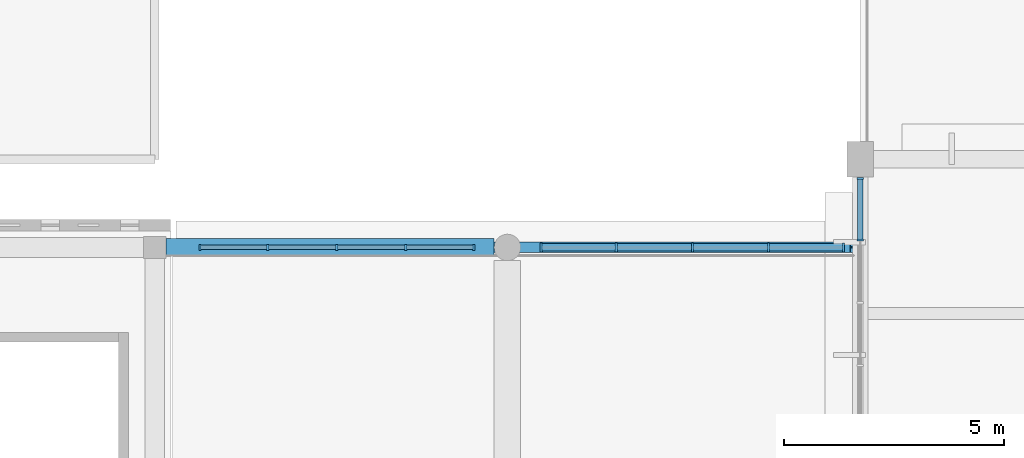
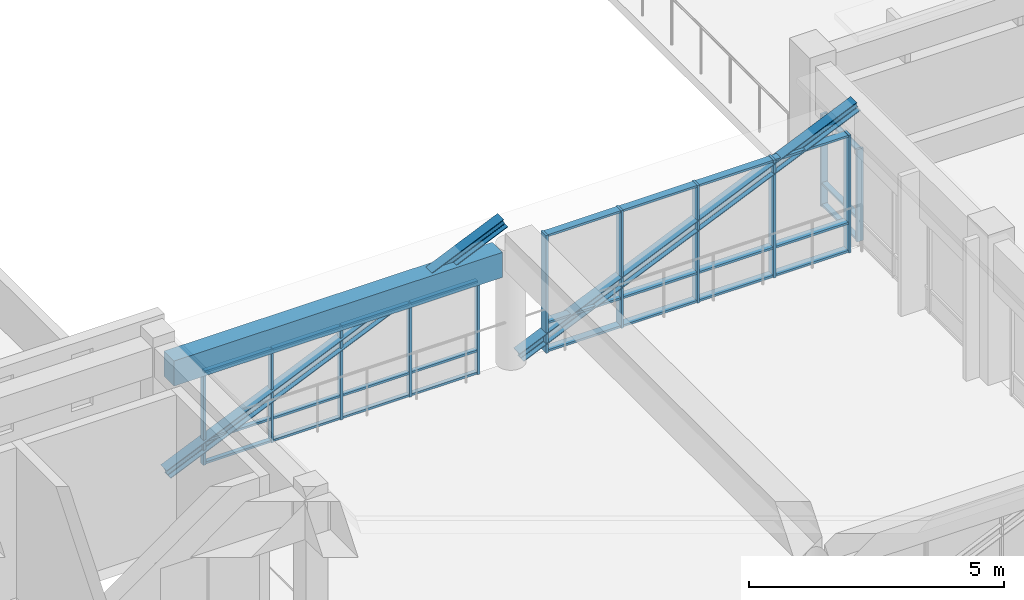
# One storey, part 28 of 77: 41 members, 1 beam, 3 elements without a shape of their own.
"""IFC4 building model written with IfcOpenShell, lengths in metres."""

from ifc_helpers import new_model, si_unit, direction, frame, origin, origin_2d, place, context, subcontext, project, spatial, rectangle, i_section, extrude, material, material_profile, profile_set, type_object, element, aggregate, save


model = new_model("IFC4")

# Units and contexts
model_context = context("Model", 3, precision=1e-05, world=origin(), true_north=direction((0.0, 1.0)))
body_context = subcontext(model_context, "Body", "Model", "MODEL_VIEW")
ifc_project = project(units=[si_unit("LENGTHUNIT", "METRE"), si_unit("AREAUNIT", "SQUARE_METRE"), si_unit("VOLUMEUNIT", "CUBIC_METRE"), si_unit("PLANEANGLEUNIT", "RADIAN"), si_unit("MASSUNIT", "GRAM", prefix="KILO")], contexts=[model_context])

# Site, building, storey
site_placement = place(None, origin())
site = spatial("IfcSite", under=ifc_project, at=site_placement, CompositionType="ELEMENT")
building_placement = place(site_placement, origin())
building = spatial("IfcBuilding", under=site, at=building_placement, Name="Larkveld Mobility Hub", CompositionType="ELEMENT")
storey_placement = place(building_placement, frame((0.0, 0.0, 12.0)))
storey = spatial("IfcBuildingStorey", under=building, at=storey_placement, Name="L03", CompositionType="ELEMENT", Elevation=12.0)

# Beam
ifc_material_1 = material(Name="Concrete C40/50", Category="concrete")
ifc_material_profile_1 = material_profile(ifc_material_1, rectangle(XDim=0.39990234375, YDim=0.60009765625, at=origin_2d()), Name="RC BM 400x600")
ifc_profile_set_1 = profile_set([ifc_material_profile_1], Name="Concrete C40/50")
beam_type = type_object("IfcBeamType", Name="BM-RC4060", PredefinedType="BEAM", material=ifc_profile_set_1)
beam_placement = place(storey_placement, frame((96.25, 96.0, 2.544921875), z_axis=(1.0, 0.0, 0.0), x_axis=(0.0, 1.0, 0.0)))
element("IfcBeam", 1, at=beam_placement, inside=storey, type_object=beam_type, Name="Footbridge L03 Canopy E-W Girder L03-0743", PredefinedType="BEAM", context=body_context, shape_type="SweptSolid", body=[
    extrude(rectangle(XDim=0.39990234375, YDim=0.60009765625, at=origin_2d()), origin(), (0.0, 0.0, 1.0), 7.449951171875),
])

# Curtain wall, members
ifc_material_2 = material(Name="Anodised aluminium 6063-T6", Category="aluminium")
curtain_wall_type_1 = type_object("IfcCurtainWallType", Name="CW-SYS-01", PredefinedType="NOTDEFINED", material=ifc_material_2)
curtain_wall_1_placement = place(storey_placement, origin())
curtain_wall_1 = element("IfcCurtainWall", 2, at=curtain_wall_1_placement, inside=storey, type_object=curtain_wall_type_1, Name="EV Wing West Glazing L03 CW-145", PredefinedType="NOTDEFINED")
ifc_material_profile_2 = material_profile(ifc_material_2, rectangle(XDim=0.050048828125, YDim=0.14990234375, at=origin_2d()), Name="ALU MULL 50x150")
ifc_profile_set_2 = profile_set([ifc_material_profile_2], Name="Anodised aluminium 6063-T6")
member_type_1 = type_object("IfcMemberType", Name="CW-MUL-01", PredefinedType="MULLION", material=ifc_profile_set_2)
member_1_placement = place(storey_placement, frame((112.0, 97.56494140625, -0.001953125), z_axis=(0.0, 0.0, 1.0), x_axis=(0.0, -1.0, 0.0)))
member_1 = element("IfcMember", 3, at=member_1_placement, type_object=member_type_1, Name="CW01 mullion 1", PredefinedType="MULLION", context=body_context, shape_type="SweptSolid", body=[
    extrude(rectangle(XDim=0.050048828125, YDim=0.14990234375, at=origin_2d()), origin(), (0.0, 0.0, 1.0), 2.2119140625),
])
member_2_placement = place(storey_placement, frame((112.0, 96.16796875, -0.001953125), z_axis=(0.0, 0.0, 1.0), x_axis=(0.0, -1.0, 0.0)))
member_2 = element("IfcMember", 4, at=member_2_placement, type_object=member_type_1, Name="CW01 mullion 2", PredefinedType="MULLION", context=body_context, shape_type="SweptSolid", body=[
    extrude(rectangle(XDim=0.050048828125, YDim=0.14990234375, at=origin_2d()), origin(), (0.0, 0.0, 1.0), 2.2119140625),
])

curtain_wall_type_2 = type_object("IfcCurtainWallType", Name="CW-SYS-07", PredefinedType="NOTDEFINED", material=ifc_material_2)
curtain_wall_2_placement = place(storey_placement, origin())
curtain_wall_2 = element("IfcCurtainWall", 5, at=curtain_wall_2_placement, inside=storey, type_object=curtain_wall_type_2, Name="Concourse Footbridge L03 North Glazing CW-007", PredefinedType="NOTDEFINED")
ifc_material_profile_3 = material_profile(ifc_material_2, rectangle(XDim=0.050048828125, YDim=0.2099609375, at=origin_2d()), Name="ALU MULL 50x210")
ifc_profile_set_3 = profile_set([ifc_material_profile_3], Name="Anodised aluminium 6063-T6")
member_type_2 = type_object("IfcMemberType", Name="CW-MUL-03", PredefinedType="MULLION", material=ifc_profile_set_3)
member_3_placement = place(storey_placement, frame((111.625, 96.0, -0.001953125), z_axis=(0.0, 0.0, 1.0), x_axis=(-1.0, 0.0, 0.0)))
member_3 = element("IfcMember", 6, at=member_3_placement, type_object=member_type_2, Name="CW07 mullion 1", PredefinedType="MULLION", context=body_context, shape_type="SweptSolid", body=[
    extrude(rectangle(XDim=0.050048828125, YDim=0.2099609375, at=origin_2d()), origin(), (0.0, 0.0, 1.0), 2.822021484375),
])
member_4_placement = place(storey_placement, frame((109.922119140625, 96.0, -0.001953125), z_axis=(0.0, 0.0, 1.0), x_axis=(-1.0, 0.0, 0.0)))
member_4 = element("IfcMember", 7, at=member_4_placement, type_object=member_type_2, Name="CW07 mullion 2", PredefinedType="MULLION", context=body_context, shape_type="SweptSolid", body=[
    extrude(rectangle(XDim=0.050048828125, YDim=0.2099609375, at=origin_2d()), origin(), (0.0, 0.0, 1.0), 2.822021484375),
])
member_5_placement = place(storey_placement, frame((108.195068359375, 96.0, -0.001953125), z_axis=(0.0, 0.0, 1.0), x_axis=(-1.0, 0.0, 0.0)))
member_5 = element("IfcMember", 8, at=member_5_placement, type_object=member_type_2, Name="CW07 mullion 3", PredefinedType="MULLION", context=body_context, shape_type="SweptSolid", body=[
    extrude(rectangle(XDim=0.050048828125, YDim=0.2099609375, at=origin_2d()), origin(), (0.0, 0.0, 1.0), 2.822021484375),
])
member_6_placement = place(storey_placement, frame((106.468017578125, 96.0, -0.001953125), z_axis=(0.0, 0.0, 1.0), x_axis=(-1.0, 0.0, 0.0)))
member_6 = element("IfcMember", 9, at=member_6_placement, type_object=member_type_2, Name="CW07 mullion 4", PredefinedType="MULLION", context=body_context, shape_type="SweptSolid", body=[
    extrude(rectangle(XDim=0.050048828125, YDim=0.2099609375, at=origin_2d()), origin(), (0.0, 0.0, 1.0), 2.822021484375),
])
member_7_placement = place(storey_placement, frame((104.764892578125, 96.0, -0.001953125), z_axis=(0.0, 0.0, 1.0), x_axis=(-1.0, 0.0, 0.0)))
member_7 = element("IfcMember", 10, at=member_7_placement, type_object=member_type_2, Name="CW07 mullion 5", PredefinedType="MULLION", context=body_context, shape_type="SweptSolid", body=[
    extrude(rectangle(XDim=0.050048828125, YDim=0.2099609375, at=origin_2d()), origin(), (0.0, 0.0, 1.0), 2.822021484375),
])

curtain_wall_type_3 = type_object("IfcCurtainWallType", Name="CW-SYS-08", PredefinedType="NOTDEFINED", material=ifc_material_2)
curtain_wall_3_placement = place(storey_placement, origin())
curtain_wall_3 = element("IfcCurtainWall", 11, at=curtain_wall_3_placement, inside=storey, type_object=curtain_wall_type_3, Name="Concourse Footbridge L03 North Glazing CW-008", PredefinedType="NOTDEFINED")
ifc_material_profile_4 = material_profile(ifc_material_2, rectangle(XDim=0.050048828125, YDim=0.1298828125, at=origin_2d()), Name="ALU MULL 50x130")
ifc_profile_set_4 = profile_set([ifc_material_profile_4], Name="Anodised aluminium 6063-T6")
member_type_3 = type_object("IfcMemberType", Name="CW-MUL-04", PredefinedType="MULLION", material=ifc_profile_set_4)
member_8_placement = place(storey_placement, frame((103.235107421875, 96.0, -0.001953125), z_axis=(0.0, 0.0, 1.0), x_axis=(-1.0, 0.0, 0.0)))
member_8 = element("IfcMember", 12, at=member_8_placement, type_object=member_type_3, Name="CW08 mullion 1", PredefinedType="MULLION", context=body_context, shape_type="SweptSolid", body=[
    extrude(rectangle(XDim=0.050048828125, YDim=0.1298828125, at=origin_2d()), origin(), (0.0, 0.0, 1.0), 2.2470703125),
])
member_9_placement = place(storey_placement, frame((101.695068359375, 96.0, -0.001953125), z_axis=(0.0, 0.0, 1.0), x_axis=(-1.0, 0.0, 0.0)))
member_9 = element("IfcMember", 13, at=member_9_placement, type_object=member_type_3, Name="CW08 mullion 2", PredefinedType="MULLION", context=body_context, shape_type="SweptSolid", body=[
    extrude(rectangle(XDim=0.050048828125, YDim=0.1298828125, at=origin_2d()), origin(), (0.0, 0.0, 1.0), 2.2470703125),
])
member_10_placement = place(storey_placement, frame((100.1298828125, 96.0, -0.001953125), z_axis=(0.0, 0.0, 1.0), x_axis=(-1.0, 0.0, 0.0)))
member_10 = element("IfcMember", 14, at=member_10_placement, type_object=member_type_3, Name="CW08 mullion 3", PredefinedType="MULLION", context=body_context, shape_type="SweptSolid", body=[
    extrude(rectangle(XDim=0.050048828125, YDim=0.1298828125, at=origin_2d()), origin(), (0.0, 0.0, 1.0), 2.2470703125),
])
member_11_placement = place(storey_placement, frame((98.56494140625, 96.0, -0.001953125), z_axis=(0.0, 0.0, 1.0), x_axis=(-1.0, 0.0, 0.0)))
member_11 = element("IfcMember", 15, at=member_11_placement, type_object=member_type_3, Name="CW08 mullion 4", PredefinedType="MULLION", context=body_context, shape_type="SweptSolid", body=[
    extrude(rectangle(XDim=0.050048828125, YDim=0.1298828125, at=origin_2d()), origin(), (0.0, 0.0, 1.0), 2.2470703125),
])
member_12_placement = place(storey_placement, frame((97.02490234375, 96.0, -0.001953125), z_axis=(0.0, 0.0, 1.0), x_axis=(-1.0, 0.0, 0.0)))
member_12 = element("IfcMember", 16, at=member_12_placement, type_object=member_type_3, Name="CW08 mullion 5", PredefinedType="MULLION", context=body_context, shape_type="SweptSolid", body=[
    extrude(rectangle(XDim=0.050048828125, YDim=0.1298828125, at=origin_2d()), origin(), (0.0, 0.0, 1.0), 2.2470703125),
])

# Member
ifc_material_profile_5 = material_profile(ifc_material_2, rectangle(XDim=0.1201171875, YDim=0.050048828125, at=origin_2d()), Name="ALU TRAN 50x120")
ifc_profile_set_5 = profile_set([ifc_material_profile_5], Name="Anodised aluminium 6063-T6")
member_type_4 = type_object("IfcMemberType", Name="CW-TRN-01", PredefinedType="USERDEFINED", material=ifc_profile_set_5)
member_13_placement = place(storey_placement, frame((112.0, 97.554931640625, 0.030029296875), z_axis=(0.0, -1.0, 0.0), x_axis=(1.0, 0.0, 0.0)))
member_13 = element("IfcMember", 17, at=member_13_placement, type_object=member_type_4, Name="CW01 transom 1.1", ObjectType="TRANSOM", PredefinedType="USERDEFINED", context=body_context, shape_type="SweptSolid", body=[
    extrude(rectangle(XDim=0.1201171875, YDim=0.050048828125, at=origin_2d()), origin(), (0.0, 0.0, 1.0), 1.371826171875),
])

member_14_placement = place(storey_placement, frame((112.0, 97.554931640625, 0.552001953125), z_axis=(0.0, -1.0, 0.0), x_axis=(1.0, 0.0, 0.0)))
member_14 = element("IfcMember", 18, at=member_14_placement, type_object=member_type_4, Name="CW01 transom 1.2", ObjectType="TRANSOM", PredefinedType="USERDEFINED", context=body_context, shape_type="SweptSolid", body=[
    extrude(rectangle(XDim=0.1201171875, YDim=0.050048828125, at=origin_2d()), origin(), (0.0, 0.0, 1.0), 1.371826171875),
])

member_15_placement = place(storey_placement, frame((112.0, 97.554931640625, 2.177978515625), z_axis=(0.0, -1.0, 0.0), x_axis=(1.0, 0.0, 0.0)))
member_15 = element("IfcMember", 19, at=member_15_placement, type_object=member_type_4, Name="CW01 transom 1.3", ObjectType="TRANSOM", PredefinedType="USERDEFINED", context=body_context, shape_type="SweptSolid", body=[
    extrude(rectangle(XDim=0.1201171875, YDim=0.050048828125, at=origin_2d()), origin(), (0.0, 0.0, 1.0), 1.371826171875),
])

aggregate(curtain_wall_1, [member_1, member_2, member_13, member_14, member_15])

ifc_material_profile_6 = material_profile(ifc_material_2, rectangle(XDim=0.169921875, YDim=0.050048828125, at=origin_2d()), Name="ALU TRAN 50x170")
ifc_profile_set_6 = profile_set([ifc_material_profile_6], Name="Anodised aluminium 6063-T6")
member_type_5 = type_object("IfcMemberType", Name="CW-TRN-03", PredefinedType="USERDEFINED", material=ifc_profile_set_6)
member_16_placement = place(storey_placement, frame((111.614990234375, 96.0, 0.030029296875), z_axis=(-1.0, 0.0, 0.0), x_axis=(0.0, -1.0, 0.0)))
member_16 = element("IfcMember", 20, at=member_16_placement, type_object=member_type_5, Name="CW07 transom 1.1", ObjectType="TRANSOM", PredefinedType="USERDEFINED", context=body_context, shape_type="SweptSolid", body=[
    extrude(rectangle(XDim=0.169921875, YDim=0.050048828125, at=origin_2d()), origin(), (0.0, 0.0, 1.0), 1.677001953125),
])

member_17_placement = place(storey_placement, frame((111.614990234375, 96.0, 0.7041015625), z_axis=(-1.0, 0.0, 0.0), x_axis=(0.0, -1.0, 0.0)))
member_17 = element("IfcMember", 21, at=member_17_placement, type_object=member_type_5, Name="CW07 transom 1.2", ObjectType="TRANSOM", PredefinedType="USERDEFINED", context=body_context, shape_type="SweptSolid", body=[
    extrude(rectangle(XDim=0.169921875, YDim=0.050048828125, at=origin_2d()), origin(), (0.0, 0.0, 1.0), 1.677001953125),
])

member_18_placement = place(storey_placement, frame((111.614990234375, 96.0, 2.7880859375), z_axis=(-1.0, 0.0, 0.0), x_axis=(0.0, -1.0, 0.0)))
member_18 = element("IfcMember", 22, at=member_18_placement, type_object=member_type_5, Name="CW07 transom 1.3", ObjectType="TRANSOM", PredefinedType="USERDEFINED", context=body_context, shape_type="SweptSolid", body=[
    extrude(rectangle(XDim=0.169921875, YDim=0.050048828125, at=origin_2d()), origin(), (0.0, 0.0, 1.0), 1.677001953125),
])

member_19_placement = place(storey_placement, frame((109.906982421875, 96.0, 0.030029296875), z_axis=(-1.0, 0.0, 0.0), x_axis=(0.0, -1.0, 0.0)))
member_19 = element("IfcMember", 23, at=member_19_placement, type_object=member_type_5, Name="CW07 transom 2.1", ObjectType="TRANSOM", PredefinedType="USERDEFINED", context=body_context, shape_type="SweptSolid", body=[
    extrude(rectangle(XDim=0.169921875, YDim=0.050048828125, at=origin_2d()), origin(), (0.0, 0.0, 1.0), 1.697021484375),
])

member_20_placement = place(storey_placement, frame((109.906982421875, 96.0, 0.7041015625), z_axis=(-1.0, 0.0, 0.0), x_axis=(0.0, -1.0, 0.0)))
member_20 = element("IfcMember", 24, at=member_20_placement, type_object=member_type_5, Name="CW07 transom 2.2", ObjectType="TRANSOM", PredefinedType="USERDEFINED", context=body_context, shape_type="SweptSolid", body=[
    extrude(rectangle(XDim=0.169921875, YDim=0.050048828125, at=origin_2d()), origin(), (0.0, 0.0, 1.0), 1.697021484375),
])

member_21_placement = place(storey_placement, frame((109.906982421875, 96.0, 2.7880859375), z_axis=(-1.0, 0.0, 0.0), x_axis=(0.0, -1.0, 0.0)))
member_21 = element("IfcMember", 25, at=member_21_placement, type_object=member_type_5, Name="CW07 transom 2.3", ObjectType="TRANSOM", PredefinedType="USERDEFINED", context=body_context, shape_type="SweptSolid", body=[
    extrude(rectangle(XDim=0.169921875, YDim=0.050048828125, at=origin_2d()), origin(), (0.0, 0.0, 1.0), 1.697021484375),
])

member_22_placement = place(storey_placement, frame((108.179931640625, 96.0, 0.030029296875), z_axis=(-1.0, 0.0, 0.0), x_axis=(0.0, -1.0, 0.0)))
member_22 = element("IfcMember", 26, at=member_22_placement, type_object=member_type_5, Name="CW07 transom 3.1", ObjectType="TRANSOM", PredefinedType="USERDEFINED", context=body_context, shape_type="SweptSolid", body=[
    extrude(rectangle(XDim=0.169921875, YDim=0.050048828125, at=origin_2d()), origin(), (0.0, 0.0, 1.0), 1.697021484375),
])

member_23_placement = place(storey_placement, frame((108.179931640625, 96.0, 0.7041015625), z_axis=(-1.0, 0.0, 0.0), x_axis=(0.0, -1.0, 0.0)))
member_23 = element("IfcMember", 27, at=member_23_placement, type_object=member_type_5, Name="CW07 transom 3.2", ObjectType="TRANSOM", PredefinedType="USERDEFINED", context=body_context, shape_type="SweptSolid", body=[
    extrude(rectangle(XDim=0.169921875, YDim=0.050048828125, at=origin_2d()), origin(), (0.0, 0.0, 1.0), 1.697021484375),
])

member_24_placement = place(storey_placement, frame((108.179931640625, 96.0, 2.7880859375), z_axis=(-1.0, 0.0, 0.0), x_axis=(0.0, -1.0, 0.0)))
member_24 = element("IfcMember", 28, at=member_24_placement, type_object=member_type_5, Name="CW07 transom 3.3", ObjectType="TRANSOM", PredefinedType="USERDEFINED", context=body_context, shape_type="SweptSolid", body=[
    extrude(rectangle(XDim=0.169921875, YDim=0.050048828125, at=origin_2d()), origin(), (0.0, 0.0, 1.0), 1.697021484375),
])

member_25_placement = place(storey_placement, frame((106.452880859375, 96.0, 0.030029296875), z_axis=(-1.0, 0.0, 0.0), x_axis=(0.0, -1.0, 0.0)))
member_25 = element("IfcMember", 29, at=member_25_placement, type_object=member_type_5, Name="CW07 transom 4.1", ObjectType="TRANSOM", PredefinedType="USERDEFINED", context=body_context, shape_type="SweptSolid", body=[
    extrude(rectangle(XDim=0.169921875, YDim=0.050048828125, at=origin_2d()), origin(), (0.0, 0.0, 1.0), 1.677978515625),
])

member_26_placement = place(storey_placement, frame((106.452880859375, 96.0, 0.7041015625), z_axis=(-1.0, 0.0, 0.0), x_axis=(0.0, -1.0, 0.0)))
member_26 = element("IfcMember", 30, at=member_26_placement, type_object=member_type_5, Name="CW07 transom 4.2", ObjectType="TRANSOM", PredefinedType="USERDEFINED", context=body_context, shape_type="SweptSolid", body=[
    extrude(rectangle(XDim=0.169921875, YDim=0.050048828125, at=origin_2d()), origin(), (0.0, 0.0, 1.0), 1.677978515625),
])

member_27_placement = place(storey_placement, frame((106.452880859375, 96.0, 2.7880859375), z_axis=(-1.0, 0.0, 0.0), x_axis=(0.0, -1.0, 0.0)))
member_27 = element("IfcMember", 31, at=member_27_placement, type_object=member_type_5, Name="CW07 transom 4.3", ObjectType="TRANSOM", PredefinedType="USERDEFINED", context=body_context, shape_type="SweptSolid", body=[
    extrude(rectangle(XDim=0.169921875, YDim=0.050048828125, at=origin_2d()), origin(), (0.0, 0.0, 1.0), 1.677978515625),
])

aggregate(curtain_wall_2, [member_3, member_4, member_5, member_6, member_7, member_16, member_17, member_18, member_19, member_20, member_21, member_22, member_23, member_24, member_25, member_26, member_27])

ifc_material_profile_7 = material_profile(ifc_material_2, rectangle(XDim=0.10009765625, YDim=0.050048828125, at=origin_2d()), Name="ALU TRAN 50x100")
ifc_profile_set_7 = profile_set([ifc_material_profile_7], Name="Anodised aluminium 6063-T6")
member_type_6 = type_object("IfcMemberType", Name="CW-TRN-04", PredefinedType="USERDEFINED", material=ifc_profile_set_7)
member_28_placement = place(storey_placement, frame((103.22509765625, 96.0, 0.030029296875), z_axis=(-1.0, 0.0, 0.0), x_axis=(0.0, -1.0, 0.0)))
member_28 = element("IfcMember", 32, at=member_28_placement, type_object=member_type_6, Name="CW08 transom 1.1", ObjectType="TRANSOM", PredefinedType="USERDEFINED", context=body_context, shape_type="SweptSolid", body=[
    extrude(rectangle(XDim=0.10009765625, YDim=0.050048828125, at=origin_2d()), origin(), (0.0, 0.0, 1.0), 1.51513671875),
])

member_29_placement = place(storey_placement, frame((103.22509765625, 96.0, 0.56103515625), z_axis=(-1.0, 0.0, 0.0), x_axis=(0.0, -1.0, 0.0)))
member_29 = element("IfcMember", 33, at=member_29_placement, type_object=member_type_6, Name="CW08 transom 1.2", ObjectType="TRANSOM", PredefinedType="USERDEFINED", context=body_context, shape_type="SweptSolid", body=[
    extrude(rectangle(XDim=0.10009765625, YDim=0.050048828125, at=origin_2d()), origin(), (0.0, 0.0, 1.0), 1.51513671875),
])

member_30_placement = place(storey_placement, frame((103.22509765625, 96.0, 2.212890625), z_axis=(-1.0, 0.0, 0.0), x_axis=(0.0, -1.0, 0.0)))
member_30 = element("IfcMember", 34, at=member_30_placement, type_object=member_type_6, Name="CW08 transom 1.3", ObjectType="TRANSOM", PredefinedType="USERDEFINED", context=body_context, shape_type="SweptSolid", body=[
    extrude(rectangle(XDim=0.10009765625, YDim=0.050048828125, at=origin_2d()), origin(), (0.0, 0.0, 1.0), 1.51513671875),
])

member_31_placement = place(storey_placement, frame((101.679931640625, 96.0, 0.030029296875), z_axis=(-1.0, 0.0, 0.0), x_axis=(0.0, -1.0, 0.0)))
member_31 = element("IfcMember", 35, at=member_31_placement, type_object=member_type_6, Name="CW08 transom 2.1", ObjectType="TRANSOM", PredefinedType="USERDEFINED", context=body_context, shape_type="SweptSolid", body=[
    extrude(rectangle(XDim=0.10009765625, YDim=0.050048828125, at=origin_2d()), origin(), (0.0, 0.0, 1.0), 1.534912109375),
])

member_32_placement = place(storey_placement, frame((101.679931640625, 96.0, 0.56103515625), z_axis=(-1.0, 0.0, 0.0), x_axis=(0.0, -1.0, 0.0)))
member_32 = element("IfcMember", 36, at=member_32_placement, type_object=member_type_6, Name="CW08 transom 2.2", ObjectType="TRANSOM", PredefinedType="USERDEFINED", context=body_context, shape_type="SweptSolid", body=[
    extrude(rectangle(XDim=0.10009765625, YDim=0.050048828125, at=origin_2d()), origin(), (0.0, 0.0, 1.0), 1.534912109375),
])

member_33_placement = place(storey_placement, frame((101.679931640625, 96.0, 2.212890625), z_axis=(-1.0, 0.0, 0.0), x_axis=(0.0, -1.0, 0.0)))
member_33 = element("IfcMember", 37, at=member_33_placement, type_object=member_type_6, Name="CW08 transom 2.3", ObjectType="TRANSOM", PredefinedType="USERDEFINED", context=body_context, shape_type="SweptSolid", body=[
    extrude(rectangle(XDim=0.10009765625, YDim=0.050048828125, at=origin_2d()), origin(), (0.0, 0.0, 1.0), 1.534912109375),
])

member_34_placement = place(storey_placement, frame((100.114990234375, 96.0, 0.030029296875), z_axis=(-1.0, 0.0, 0.0), x_axis=(0.0, -1.0, 0.0)))
member_34 = element("IfcMember", 38, at=member_34_placement, type_object=member_type_6, Name="CW08 transom 3.1", ObjectType="TRANSOM", PredefinedType="USERDEFINED", context=body_context, shape_type="SweptSolid", body=[
    extrude(rectangle(XDim=0.10009765625, YDim=0.050048828125, at=origin_2d()), origin(), (0.0, 0.0, 1.0), 1.534912109375),
])

member_35_placement = place(storey_placement, frame((100.114990234375, 96.0, 0.56103515625), z_axis=(-1.0, 0.0, 0.0), x_axis=(0.0, -1.0, 0.0)))
member_35 = element("IfcMember", 39, at=member_35_placement, type_object=member_type_6, Name="CW08 transom 3.2", ObjectType="TRANSOM", PredefinedType="USERDEFINED", context=body_context, shape_type="SweptSolid", body=[
    extrude(rectangle(XDim=0.10009765625, YDim=0.050048828125, at=origin_2d()), origin(), (0.0, 0.0, 1.0), 1.534912109375),
])

member_36_placement = place(storey_placement, frame((100.114990234375, 96.0, 2.212890625), z_axis=(-1.0, 0.0, 0.0), x_axis=(0.0, -1.0, 0.0)))
member_36 = element("IfcMember", 40, at=member_36_placement, type_object=member_type_6, Name="CW08 transom 3.3", ObjectType="TRANSOM", PredefinedType="USERDEFINED", context=body_context, shape_type="SweptSolid", body=[
    extrude(rectangle(XDim=0.10009765625, YDim=0.050048828125, at=origin_2d()), origin(), (0.0, 0.0, 1.0), 1.534912109375),
])

member_37_placement = place(storey_placement, frame((98.550048828125, 96.0, 0.030029296875), z_axis=(-1.0, 0.0, 0.0), x_axis=(0.0, -1.0, 0.0)))
member_37 = element("IfcMember", 41, at=member_37_placement, type_object=member_type_6, Name="CW08 transom 4.1", ObjectType="TRANSOM", PredefinedType="USERDEFINED", context=body_context, shape_type="SweptSolid", body=[
    extrude(rectangle(XDim=0.10009765625, YDim=0.050048828125, at=origin_2d()), origin(), (0.0, 0.0, 1.0), 1.51513671875),
])

member_38_placement = place(storey_placement, frame((98.550048828125, 96.0, 0.56103515625), z_axis=(-1.0, 0.0, 0.0), x_axis=(0.0, -1.0, 0.0)))
member_38 = element("IfcMember", 42, at=member_38_placement, type_object=member_type_6, Name="CW08 transom 4.2", ObjectType="TRANSOM", PredefinedType="USERDEFINED", context=body_context, shape_type="SweptSolid", body=[
    extrude(rectangle(XDim=0.10009765625, YDim=0.050048828125, at=origin_2d()), origin(), (0.0, 0.0, 1.0), 1.51513671875),
])

member_39_placement = place(storey_placement, frame((98.550048828125, 96.0, 2.212890625), z_axis=(-1.0, 0.0, 0.0), x_axis=(0.0, -1.0, 0.0)))
member_39 = element("IfcMember", 43, at=member_39_placement, type_object=member_type_6, Name="CW08 transom 4.3", ObjectType="TRANSOM", PredefinedType="USERDEFINED", context=body_context, shape_type="SweptSolid", body=[
    extrude(rectangle(XDim=0.10009765625, YDim=0.050048828125, at=origin_2d()), origin(), (0.0, 0.0, 1.0), 1.51513671875),
])

aggregate(curtain_wall_3, [member_8, member_9, member_10, member_11, member_12, member_28, member_29, member_30, member_31, member_32, member_33, member_34, member_35, member_36, member_37, member_38, member_39])

# Members
ifc_material_3 = material(Name="Steel S355JR", Category="steel")
ifc_material_profile_8 = material_profile(ifc_material_3, i_section(OverallWidth=0.239990234375, OverallDepth=0.239990234375, WebThickness=0.010009765625, FlangeThickness=0.01708984375, FilletRadius=0.02099609375, at=origin_2d()), Name="HEB 240")
ifc_profile_set_8 = profile_set([ifc_material_profile_8], Name="Steel S355JR")
member_type_7 = type_object("IfcMemberType", Name="MB-BR-HEB240", PredefinedType="BRACE", material=ifc_profile_set_8)
for number, where, z_axis, x_axis, name in (
    (44, (96.179931640625, 96.0, 0.10009765625), (0.915835983568, 0.0, 0.401552550985), (0.0, 1.0, 0.0), "Lateral Diagonal Brace LB-09"),
    (45, (104.179931640625, 96.0, 0.10009765625), (0.915835983568, 0.0, 0.401552550985), (0.0, 1.0, 0.0), "Lateral Diagonal Brace LB-10"),
):
    element("IfcMember", number, at=place(storey_placement, frame(where, z_axis=z_axis, x_axis=x_axis)), inside=storey, type_object=member_type_7, Name=name, PredefinedType="BRACE", context=body_context, shape_type="SweptSolid", body=[
        extrude(i_section(OverallWidth=0.239990234375, OverallDepth=0.239990234375, WebThickness=0.010009765625, FlangeThickness=0.01708984375, FilletRadius=0.02099609375, at=origin_2d()), origin(), (0.0, 0.0, 1.0), 8.34228515625),
    ])

save(model, "model.ifc")
